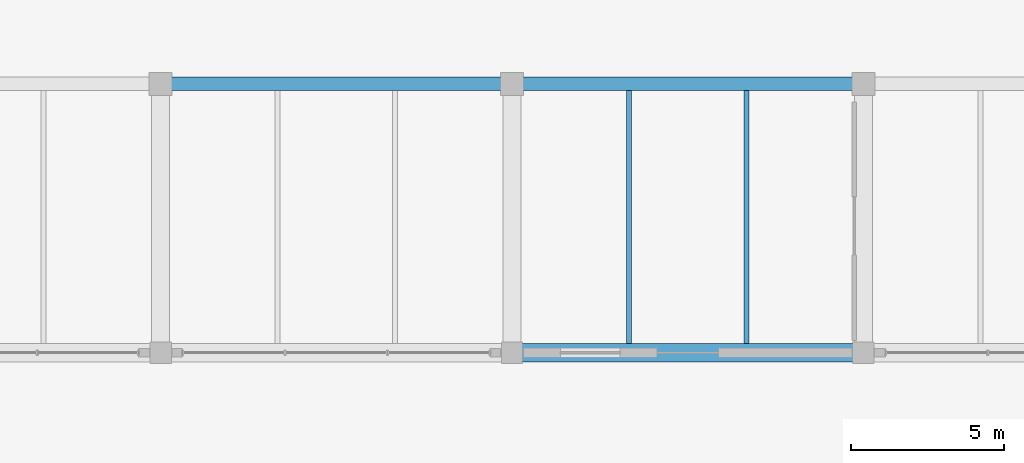
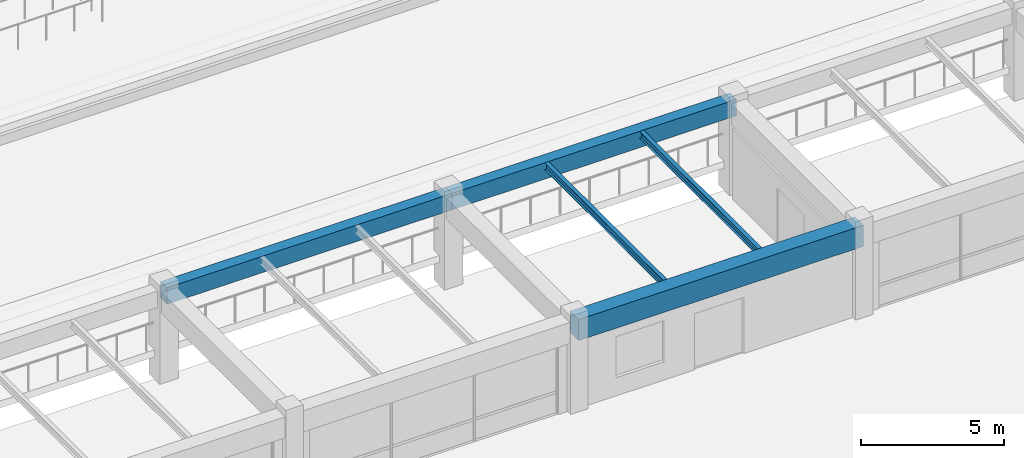
# One storey, part 59 of 109: 5 beams.
"""IFC4 building model written with IfcOpenShell, lengths in metres."""

import ifcopenshell
import ifcopenshell.guid

model = None  # the IFC model being written
_history = None  # IfcOwnerHistory: only IFC2X3 demands one
_inside = {}  # id of a spatial element -> (the spatial element, [elements in it])
_under = {}  # id of a project, library or spatial element -> (it, [spatial elements below it])
_declared = {}  # id of a project -> (the project, [libraries it declares])
_typed = {}  # id of a type object -> (the type object, [elements of that type])
_made_of = {}  # id of a material, layer set ... -> (it, [elements and type objects made of it])


def new_model(schema):
    """Start an empty IFC model of exactly this schema.

    Asked for "IFC4X3", IfcOpenShell would pick the latest addendum, in which some entities
    have other attributes; the version numbers below select the first issue.
    IFC2X3 requires an IfcOwnerHistory on every rooted entity: one is made here for all.
    """
    global model, _history
    if schema == "IFC4X3":
        model = ifcopenshell.file(schema_version=(4, 3, 0, 0))
    else:
        model = ifcopenshell.file(schema=schema)
    _inside.clear()
    _under.clear()
    _declared.clear()
    _typed.clear()
    _made_of.clear()
    _history = None
    if model.schema == "IFC2X3":
        org = make("IfcOrganization", Name="unknown")
        user = make(
            "IfcPersonAndOrganization",
            ThePerson=make("IfcPerson", FamilyName="unknown"),
            TheOrganization=org,
        )
        app = make(
            "IfcApplication",
            ApplicationDeveloper=org,
            Version="unknown",
            ApplicationFullName="unknown",
            ApplicationIdentifier="unknown",
        )
        _history = make(
            "IfcOwnerHistory",
            OwningUser=user,
            OwningApplication=app,
            ChangeAction="ADDED",
            CreationDate=0,
        )
    return model


def make(cls, **values):
    """One entity of the class cls with the attributes given. An attribute that is None is left unset."""
    return model.create_entity(
        cls, **{name: value for name, value in values.items() if value is not None}
    )


def rooted(cls, **values):
    """An entity with a GlobalId (a new one), such as an element, a storey or a relation."""
    return make(cls, GlobalId=ifcopenshell.guid.new(), OwnerHistory=_history, **values)


def si_unit(unit_type, name, prefix=None):
    """IfcSIUnit, for example si_unit("LENGTHUNIT", "METRE", prefix="MILLI")."""
    return make("IfcSIUnit", UnitType=unit_type, Prefix=prefix, Name=name)


def assignment(units):
    """IfcUnitAssignment: the units of a project."""
    return None if units is None else make("IfcUnitAssignment", Units=units)


def point(xyz):
    """IfcCartesianPoint."""
    return None if xyz is None else make("IfcCartesianPoint", Coordinates=xyz)


def direction(xyz):
    """IfcDirection."""
    return None if xyz is None else make("IfcDirection", DirectionRatios=xyz)


def frame(location, z_axis=None, x_axis=None):
    """IfcAxis2Placement3D, a coordinate frame: its origin and axes. An axis left out is left unset."""
    return make(
        "IfcAxis2Placement3D",
        Location=point(location),
        Axis=direction(z_axis),
        RefDirection=direction(x_axis),
    )


def frame_2d(location, x_axis=None):
    """IfcAxis2Placement2D, a coordinate frame in the plane: its origin and x axis."""
    return make(
        "IfcAxis2Placement2D", Location=point(location), RefDirection=direction(x_axis)
    )


def origin():
    """The frame at (0, 0, 0) with its axes left unset."""
    return frame((0.0, 0.0, 0.0))


def origin_2d():
    """The frame at (0, 0) in the plane with its x axis left unset."""
    return frame_2d((0.0, 0.0))


def place(relative_to, where):
    """IfcLocalPlacement: puts the frame where relative to a parent placement (None: the world)."""
    return make(
        "IfcLocalPlacement", PlacementRelTo=relative_to, RelativePlacement=where
    )


def context(
    kind, dimensions, precision=None, world=None, true_north=None, identifier=None
):
    """IfcGeometricRepresentationContext, for example the 3D "Model" context."""
    return make(
        "IfcGeometricRepresentationContext",
        ContextIdentifier=identifier,
        ContextType=kind,
        CoordinateSpaceDimension=dimensions,
        Precision=precision,
        WorldCoordinateSystem=world,
        TrueNorth=true_north,
    )


def subcontext(parent, identifier, kind, view, scale=None):
    """IfcGeometricRepresentationSubContext, for example "Body" below "Model"."""
    return make(
        "IfcGeometricRepresentationSubContext",
        ContextIdentifier=identifier,
        ContextType=kind,
        ParentContext=parent,
        TargetScale=scale,
        TargetView=view,
    )


def project(units=None, contexts=None):
    """IfcProject with its units and contexts."""
    return rooted(
        "IfcProject",
        Name="project",
        RepresentationContexts=contexts,
        UnitsInContext=assignment(units),
    )


def spatial(cls, under=None, at=None, **own):
    """A site, building, storey or space (cls), placed at a placement, below another one or the project."""
    s = rooted(cls, ObjectPlacement=at, **own)
    if under is not None:
        _under.setdefault(under.id(), (under, []))[1].append(s)
    return s


def profile(cls, at=None, kind="AREA", **sizes):
    """A parametric profile (cls). Its sizes go by their IFC names, for example OverallWidth=200.0."""
    return make(cls, ProfileType=kind, Position=at, **sizes)


def rectangle(**sizes):
    """IfcRectangleProfileDef."""
    return profile("IfcRectangleProfileDef", **sizes)


def i_section(**sizes):
    """IfcIShapeProfileDef."""
    return profile("IfcIShapeProfileDef", **sizes)


def extrude(swept, where, along, depth):
    """IfcExtrudedAreaSolid: the profile swept, set in the frame where, extruded along a direction by depth."""
    return make(
        "IfcExtrudedAreaSolid",
        SweptArea=swept,
        Position=where,
        ExtrudedDirection=direction(along),
        Depth=depth,
    )


def shape(context_of_items, identifier, shape_type, items):
    """IfcShapeRepresentation: the items that make up one representation, for example the "Body"."""
    return make(
        "IfcShapeRepresentation",
        ContextOfItems=context_of_items,
        RepresentationIdentifier=identifier,
        RepresentationType=shape_type,
        Items=items,
    )


def material(Name=None, Category=None):
    """IfcMaterial."""
    return make("IfcMaterial", Name=Name, Category=Category)


def material_profile(
    of_material, cross_section, Name=None, Category=None, Priority=None
):
    """IfcMaterialProfile: a cross section and its material."""
    return make(
        "IfcMaterialProfile",
        Name=Name,
        Material=of_material,
        Profile=cross_section,
        Priority=Priority,
        Category=Category,
    )


def profile_set(profiles, Name=None, composite=None):
    """IfcMaterialProfileSet."""
    return make(
        "IfcMaterialProfileSet",
        Name=Name,
        MaterialProfiles=profiles,
        CompositeProfile=composite,
    )


def made_of(thing, what):
    """Note that an element or type object is made of a material, layer set ...; save() writes the relation."""
    if what is not None:
        _made_of.setdefault(what.id(), (what, []))[1].append(thing)
    return thing


def type_object(cls, material=None, **own):
    """A type object (cls), such as IfcWallType, which elements share."""
    return made_of(rooted(cls, **own), material)


def element(
    cls,
    number,
    at=None,
    inside=None,
    cuts=None,
    type_object=None,
    material=None,
    context=None,
    identifier="Body",
    shape_type=None,
    held_by="IfcProductDefinitionShape",
    body=None,
    shapes=None,
    **own,
):
    """One element of the class cls, such as IfcWall. Its Tag is "e" and its number.

    at: its placement. inside: the storey or other place that contains it. cuts: it is an
    opening in that element (IfcRelVoidsElement). A single representation is given by context,
    identifier, shape_type and body (its items); several are given by shapes. held_by: the class
    of the entity that holds the representations. save() writes the other relations.
    """
    e = rooted(cls, Tag="e%d" % number, ObjectPlacement=at, **own)
    if body is not None:
        shapes = [shape(context, identifier, shape_type, body)]
    if shapes is not None:
        e.Representation = make(held_by, Representations=shapes)
    if inside is not None:
        _inside.setdefault(inside.id(), (inside, []))[1].append(e)
    if cuts is not None:
        rooted(
            "IfcRelVoidsElement", RelatingBuildingElement=cuts, RelatedOpeningElement=e
        )
    if type_object is not None:
        _typed.setdefault(type_object.id(), (type_object, []))[1].append(e)
    return made_of(e, material)


def aggregate(whole, parts):
    """IfcRelAggregates: a whole, such as a stair, and the parts it consists of."""
    return rooted("IfcRelAggregates", RelatingObject=whole, RelatedObjects=parts)


def save(model, path):
    """Write the relations noted so far, then the file.

    IfcRelAggregates (storeys below a building ...), IfcRelContainedInSpatialStructure (elements
    in a storey), IfcRelDefinesByType, IfcRelAssociatesMaterial and IfcRelDeclares: one each for
    every whole, place, type object, material and project.
    """
    for whole, parts in _under.values():
        aggregate(whole, parts)
    for where, things in _inside.values():
        rooted(
            "IfcRelContainedInSpatialStructure",
            RelatedElements=things,
            RelatingStructure=where,
        )
    for kind, things in _typed.values():
        rooted("IfcRelDefinesByType", RelatedObjects=things, RelatingType=kind)
    for what, things in _made_of.values():
        rooted("IfcRelAssociatesMaterial", RelatedObjects=things, RelatingMaterial=what)
    for by, libraries in _declared.values():
        rooted("IfcRelDeclares", RelatingContext=by, RelatedDefinitions=libraries)
    model.write(path)


model = new_model("IFC4")

# Units and contexts
model_context = context("Model", 3, precision=1e-05, world=origin(), true_north=direction((0.0, 1.0)))
body_context = subcontext(model_context, "Body", "Model", "MODEL_VIEW")
ifc_project = project(units=[si_unit("LENGTHUNIT", "METRE"), si_unit("AREAUNIT", "SQUARE_METRE"), si_unit("VOLUMEUNIT", "CUBIC_METRE"), si_unit("PLANEANGLEUNIT", "RADIAN"), si_unit("MASSUNIT", "GRAM", prefix="KILO")], contexts=[model_context])

# Site, building, storey
site_placement = place(None, origin())
site = spatial("IfcSite", under=ifc_project, at=site_placement, CompositionType="ELEMENT")
building_placement = place(site_placement, origin())
building = spatial("IfcBuilding", under=site, at=building_placement, Name="Ologun Quay Terminus", CompositionType="ELEMENT")
storey_placement = place(building_placement, origin())
storey = spatial("IfcBuildingStorey", under=building, at=storey_placement, Name="L00", CompositionType="ELEMENT", Elevation=0.0)

# Beams
ifc_material_1 = material(Name="Steel S355", Category="steel")
ifc_material_profile_1 = material_profile(ifc_material_1, i_section(OverallWidth=0.1650390625, OverallDepth=0.303466796875, WebThickness=0.006103515625, FlangeThickness=0.01025390625, at=origin_2d()), Name="UKB 305x165x40")
ifc_profile_set_1 = profile_set([ifc_material_profile_1], Name="Steel S355")
beam_type_1 = type_object("IfcBeamType", Name="Mezzanine Steel Joist UKB305", PredefinedType="JOIST", material=ifc_profile_set_1)
for number, where, z_axis, x_axis, name in (
    (1, (153.333251953125, 27.5, 3.748291015625), (0.0, 1.0, 0.0), (-1.0, 0.0, 0.0), "SJ1 Beam 14/D L00"),
    (2, (157.166748046875, 27.5, 3.748291015625), (0.0, 1.0, 0.0), (-1.0, 0.0, 0.0), "SJ1 Beam 14/D L00"),
):
    element("IfcBeam", number, at=place(storey_placement, frame(where, z_axis=z_axis, x_axis=x_axis)), inside=storey, type_object=beam_type_1, Name=name, PredefinedType="JOIST", context=body_context, shape_type="SweptSolid", body=[
        extrude(i_section(OverallWidth=0.1650390625, OverallDepth=0.303466796875, WebThickness=0.006103515625, FlangeThickness=0.01025390625, at=origin_2d()), origin(), (0.0, 0.0, 1.0), 8.27490234375),
    ])
ifc_material_2 = material(Name="Concrete C40/50", Category="concrete")
ifc_material_profile_2 = material_profile(ifc_material_2, rectangle(XDim=0.449951171875, YDim=0.699951171875, at=origin_2d()), Name="RC 450x700")
ifc_profile_set_2 = profile_set([ifc_material_profile_2], Name="Concrete C40/50")
beam_type_2 = type_object("IfcBeamType", Name="Perimeter Spandrel Beam 450x700", PredefinedType="SPANDREL", material=ifc_profile_set_2)
for number, where, z_axis, x_axis, name in (
    (3, (138.0, 36.0, 3.550048828125), (1.0, 0.0, 0.0), (0.0, 1.0, 0.0), "SP1 Beam 13/E L00"),
    (4, (149.5, 36.0, 3.550048828125), (1.0, 0.0, 0.0), (0.0, 1.0, 0.0), "SP1 Beam 14/E L00"),
):
    element("IfcBeam", number, at=place(storey_placement, frame(where, z_axis=z_axis, x_axis=x_axis)), inside=storey, type_object=beam_type_2, Name=name, PredefinedType="SPANDREL", context=body_context, shape_type="SweptSolid", body=[
        extrude(rectangle(XDim=0.449951171875, YDim=0.699951171875, at=origin_2d()), origin(), (0.0, 0.0, 1.0), 11.5),
    ])
ifc_material_3 = material(Name="Concrete C40/50", Category="concrete")
ifc_material_profile_3 = material_profile(ifc_material_3, rectangle(XDim=0.60009765625, YDim=0.89990234375, at=origin_2d()), Name="RC 600x900")
ifc_profile_set_3 = profile_set([ifc_material_profile_3], Name="Concrete C40/50")
beam_type_3 = type_object("IfcBeamType", Name="Station Frame Girder 600x900", PredefinedType="BEAM", material=ifc_profile_set_3)
beam_placement = place(storey_placement, frame((149.5, 27.199951171875, 3.449951171875), z_axis=(1.0, 0.0, 0.0), x_axis=(0.0, 1.0, 0.0)))
element("IfcBeam", 5, at=beam_placement, inside=storey, type_object=beam_type_3, Name="B3 Beam 14/D L00", PredefinedType="BEAM", context=body_context, shape_type="SweptSolid", body=[
    extrude(rectangle(XDim=0.60009765625, YDim=0.89990234375, at=origin_2d()), origin(), (0.0, 0.0, 1.0), 11.5),
])

save(model, "model.ifc")
